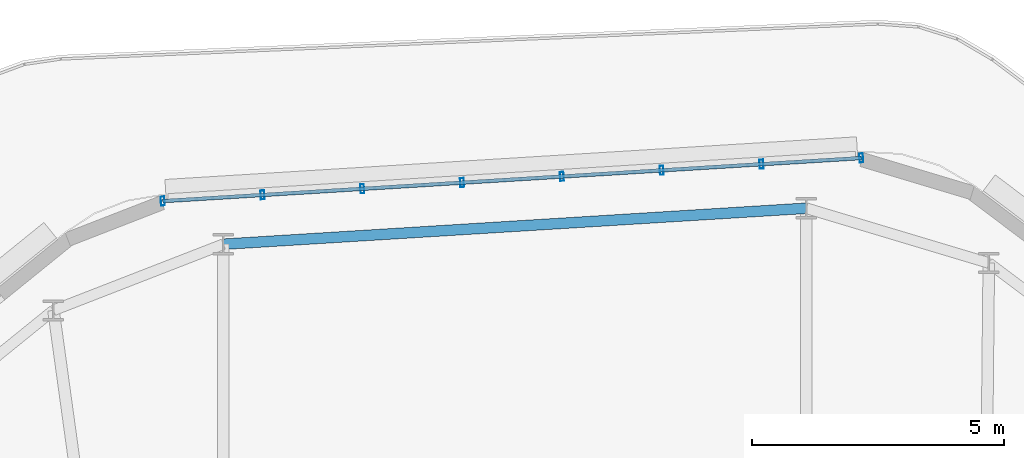
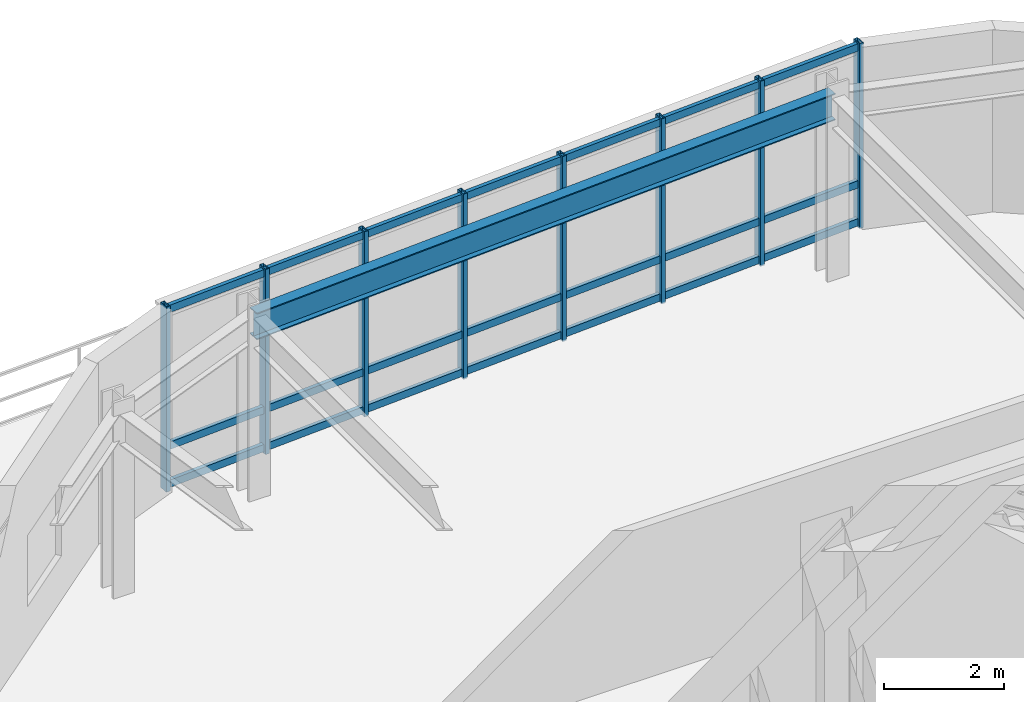
# One storey, part 6 of 13: 11 members, 1 beam, 1 element without a shape of its own.
"""IFC4 building model written with IfcOpenShell, lengths in metres."""

from ifc_helpers import new_model, si_unit, direction, frame, origin, origin_2d, place, context, subcontext, project, spatial, hollow_rectangle, i_section, extrude, material, material_profile, profile_set, type_object, element, aggregate, save


model = new_model("IFC4")

# Units and contexts
model_context = context("Model", 3, precision=1e-05, world=origin(), true_north=direction((0.0, 1.0)))
body_context = subcontext(model_context, "Body", "Model", "MODEL_VIEW")
ifc_project = project(units=[si_unit("LENGTHUNIT", "METRE"), si_unit("AREAUNIT", "SQUARE_METRE"), si_unit("VOLUMEUNIT", "CUBIC_METRE"), si_unit("PLANEANGLEUNIT", "RADIAN"), si_unit("MASSUNIT", "GRAM", prefix="KILO")], contexts=[model_context])

# Site, building, storey
site_placement = place(None, origin())
site = spatial("IfcSite", under=ifc_project, at=site_placement, CompositionType="ELEMENT")
building_placement = place(site_placement, origin())
building = spatial("IfcBuilding", under=site, at=building_placement, Name="Zulverin Broadcast Headquarters", CompositionType="ELEMENT")
storey_placement = place(building_placement, frame((0.0, 0.0, 313.39990234375)))
storey = spatial("IfcBuildingStorey", under=building, at=storey_placement, Name="C1", CompositionType="ELEMENT", Elevation=313.39990234375)

# Beam
ifc_material_1 = material(Name="Structural steel S355JR", Category="steel")
ifc_material_profile_1 = material_profile(ifc_material_1, i_section(OverallWidth=0.2119140625, OverallDepth=0.54443359375, WebThickness=0.0126953125, FlangeThickness=0.021240234375, at=origin_2d()), Name="Structural steel S355JR", Category="steel")
ifc_profile_set_1 = profile_set([ifc_material_profile_1], Name="Structural steel S355JR")
beam_type = type_object("IfcBeamType", Name="BM-UB-533", PredefinedType="SPANDREL", material=ifc_profile_set_1)
beam_placement = place(storey_placement, frame((44.622314453125, 43.80419921875, 3.447998046875), z_axis=(-0.998101715352, -0.061587058792, 0.0), x_axis=(0.061587058792, -0.998101715352, 0.0)))
element("IfcBeam", 1, at=beam_placement, inside=storey, type_object=beam_type, Name="C1 Perimeter Spandrel Beam SP-09", PredefinedType="SPANDREL", context=body_context, shape_type="SweptSolid", body=[
    extrude(i_section(OverallWidth=0.2119140625, OverallDepth=0.54443359375, WebThickness=0.0126953125, FlangeThickness=0.021240234375, at=origin_2d()), origin(), (0.0, 0.0, 1.0), 11.60302734375),
])

# Curtain wall, members
ifc_material_2 = material(Name="Crown damper-hall structural glass curtain wall", Category="glass")
curtain_wall_type = type_object("IfcCurtainWallType", Name="CW-CRN", PredefinedType="USERDEFINED", material=ifc_material_2)
curtain_wall_placement = place(storey_placement, origin())
curtain_wall = element("IfcCurtainWall", 2, at=curtain_wall_placement, inside=storey, type_object=curtain_wall_type, Name="C1 Unitised Curtain Wall CW-C1-E5", ObjectType="UNITISED CURTAIN WALL", PredefinedType="USERDEFINED")
ifc_material_3 = material(Name="Anodized pale-metal aluminium alloy 6063-T6", Category="aluminium")
ifc_material_profile_2 = material_profile(ifc_material_3, hollow_rectangle(XDim=0.074951171875, YDim=0.179931640625, WallThickness=0.0048828125, at=origin_2d()), Name="Anodized pale-metal aluminium alloy 6063-T6", Category="aluminium")
ifc_profile_set_2 = profile_set([ifc_material_profile_2], Name="Anodized pale-metal aluminium alloy 6063-T6")
member_type_1 = type_object("IfcMemberType", Name="CW-MUL-180", PredefinedType="MULLION", material=ifc_profile_set_2)
member_1_placement = place(storey_placement, frame((45.712890625, 44.802978515625, -0.02978515625), z_axis=(0.0, 0.0, 1.0), x_axis=(-0.998102804121, -0.061569411283, 0.0)))
member_1 = element("IfcMember", 3, at=member_1_placement, type_object=member_type_1, Name="CW-C1-E5 Mullion 00", PredefinedType="MULLION", context=body_context, shape_type="SweptSolid", body=[
    extrude(hollow_rectangle(XDim=0.074951171875, YDim=0.179931640625, WallThickness=0.0048828125, at=origin_2d()), origin(), (0.0, 0.0, 1.0), 3.77978515625),
])
member_2_placement = place(storey_placement, frame((43.73046875, 44.680908203125, -0.02978515625), z_axis=(0.0, 0.0, 1.0), x_axis=(-0.998102804121, -0.061569411283, 0.0)))
member_2 = element("IfcMember", 4, at=member_2_placement, type_object=member_type_1, Name="CW-C1-E5 Mullion 01", PredefinedType="MULLION", context=body_context, shape_type="SweptSolid", body=[
    extrude(hollow_rectangle(XDim=0.074951171875, YDim=0.179931640625, WallThickness=0.0048828125, at=origin_2d()), origin(), (0.0, 0.0, 1.0), 3.77978515625),
])
member_3_placement = place(storey_placement, frame((41.748046875, 44.55859375, -0.02978515625), z_axis=(0.0, 0.0, 1.0), x_axis=(-0.998102804121, -0.061569411283, 0.0)))
member_3 = element("IfcMember", 5, at=member_3_placement, type_object=member_type_1, Name="CW-C1-E5 Mullion 02", PredefinedType="MULLION", context=body_context, shape_type="SweptSolid", body=[
    extrude(hollow_rectangle(XDim=0.074951171875, YDim=0.179931640625, WallThickness=0.0048828125, at=origin_2d()), origin(), (0.0, 0.0, 1.0), 3.77978515625),
])
member_4_placement = place(storey_placement, frame((39.765625, 44.436279296875, -0.02978515625), z_axis=(0.0, 0.0, 1.0), x_axis=(-0.998102804121, -0.061569411283, 0.0)))
member_4 = element("IfcMember", 6, at=member_4_placement, type_object=member_type_1, Name="CW-C1-E5 Mullion 03", PredefinedType="MULLION", context=body_context, shape_type="SweptSolid", body=[
    extrude(hollow_rectangle(XDim=0.074951171875, YDim=0.179931640625, WallThickness=0.0048828125, at=origin_2d()), origin(), (0.0, 0.0, 1.0), 3.77978515625),
])
member_5_placement = place(storey_placement, frame((37.783203125, 44.31396484375, -0.02978515625), z_axis=(0.0, 0.0, 1.0), x_axis=(-0.998102804121, -0.061569411283, 0.0)))
member_5 = element("IfcMember", 7, at=member_5_placement, type_object=member_type_1, Name="CW-C1-E5 Mullion 04", PredefinedType="MULLION", context=body_context, shape_type="SweptSolid", body=[
    extrude(hollow_rectangle(XDim=0.074951171875, YDim=0.179931640625, WallThickness=0.0048828125, at=origin_2d()), origin(), (0.0, 0.0, 1.0), 3.77978515625),
])
member_6_placement = place(storey_placement, frame((35.80078125, 44.191650390625, -0.02978515625), z_axis=(0.0, 0.0, 1.0), x_axis=(-0.998102804121, -0.061569411283, 0.0)))
member_6 = element("IfcMember", 8, at=member_6_placement, type_object=member_type_1, Name="CW-C1-E5 Mullion 05", PredefinedType="MULLION", context=body_context, shape_type="SweptSolid", body=[
    extrude(hollow_rectangle(XDim=0.074951171875, YDim=0.179931640625, WallThickness=0.0048828125, at=origin_2d()), origin(), (0.0, 0.0, 1.0), 3.77978515625),
])
member_7_placement = place(storey_placement, frame((33.818603515625, 44.0693359375, -0.02978515625), z_axis=(0.0, 0.0, 1.0), x_axis=(-0.998102804121, -0.061569411283, 0.0)))
member_7 = element("IfcMember", 9, at=member_7_placement, type_object=member_type_1, Name="CW-C1-E5 Mullion 06", PredefinedType="MULLION", context=body_context, shape_type="SweptSolid", body=[
    extrude(hollow_rectangle(XDim=0.074951171875, YDim=0.179931640625, WallThickness=0.0048828125, at=origin_2d()), origin(), (0.0, 0.0, 1.0), 3.77978515625),
])
member_8_placement = place(storey_placement, frame((31.836181640625, 43.947021484375, -0.02978515625), z_axis=(0.0, 0.0, 1.0), x_axis=(-0.998102804121, -0.061569411283, 0.0)))
member_8 = element("IfcMember", 10, at=member_8_placement, type_object=member_type_1, Name="CW-C1-E5 Mullion 07", PredefinedType="MULLION", context=body_context, shape_type="SweptSolid", body=[
    extrude(hollow_rectangle(XDim=0.074951171875, YDim=0.179931640625, WallThickness=0.0048828125, at=origin_2d()), origin(), (0.0, 0.0, 1.0), 3.77978515625),
])
ifc_material_profile_3 = material_profile(ifc_material_3, hollow_rectangle(XDim=0.074951171875, YDim=0.14990234375, WallThickness=0.0048828125, at=origin_2d()), Name="Anodized pale-metal aluminium alloy 6063-T6", Category="aluminium")
ifc_profile_set_3 = profile_set([ifc_material_profile_3], Name="Anodized pale-metal aluminium alloy 6063-T6")
member_type_2 = type_object("IfcMemberType", Name="CW-TRN-150", PredefinedType="USERDEFINED", material=ifc_profile_set_3)
member_9_placement = place(storey_placement, frame((45.712890625, 44.802978515625, 0.0751953125), z_axis=(-0.998103015307, -0.061565987643, 0.0), x_axis=(0.061565987643, -0.998103015307, 0.0)))
member_9 = element("IfcMember", 11, at=member_9_placement, type_object=member_type_2, Name="CW-C1-E5 Transom 0", ObjectType="TRANSOM", PredefinedType="USERDEFINED", context=body_context, shape_type="SweptSolid", body=[
    extrude(hollow_rectangle(XDim=0.074951171875, YDim=0.14990234375, WallThickness=0.0048828125, at=origin_2d()), origin(), (0.0, 0.0, 1.0), 13.903076171875),
])
member_10_placement = place(storey_placement, frame((45.712890625, 44.802978515625, 0.85009765625), z_axis=(-0.998103015307, -0.061565987643, 0.0), x_axis=(0.061565987643, -0.998103015307, 0.0)))
member_10 = element("IfcMember", 12, at=member_10_placement, type_object=member_type_2, Name="CW-C1-E5 Transom 1", ObjectType="TRANSOM", PredefinedType="USERDEFINED", context=body_context, shape_type="SweptSolid", body=[
    extrude(hollow_rectangle(XDim=0.074951171875, YDim=0.14990234375, WallThickness=0.0048828125, at=origin_2d()), origin(), (0.0, 0.0, 1.0), 13.903076171875),
])
member_11_placement = place(storey_placement, frame((45.712890625, 44.802978515625, 3.64501953125), z_axis=(-0.998103015307, -0.061565987643, 0.0), x_axis=(0.061565987643, -0.998103015307, 0.0)))
member_11 = element("IfcMember", 13, at=member_11_placement, type_object=member_type_2, Name="CW-C1-E5 Transom 2", ObjectType="TRANSOM", PredefinedType="USERDEFINED", context=body_context, shape_type="SweptSolid", body=[
    extrude(hollow_rectangle(XDim=0.074951171875, YDim=0.14990234375, WallThickness=0.0048828125, at=origin_2d()), origin(), (0.0, 0.0, 1.0), 13.903076171875),
])
aggregate(curtain_wall, [member_1, member_2, member_3, member_4, member_5, member_6, member_7, member_8, member_9, member_10, member_11])

save(model, "model.ifc")
